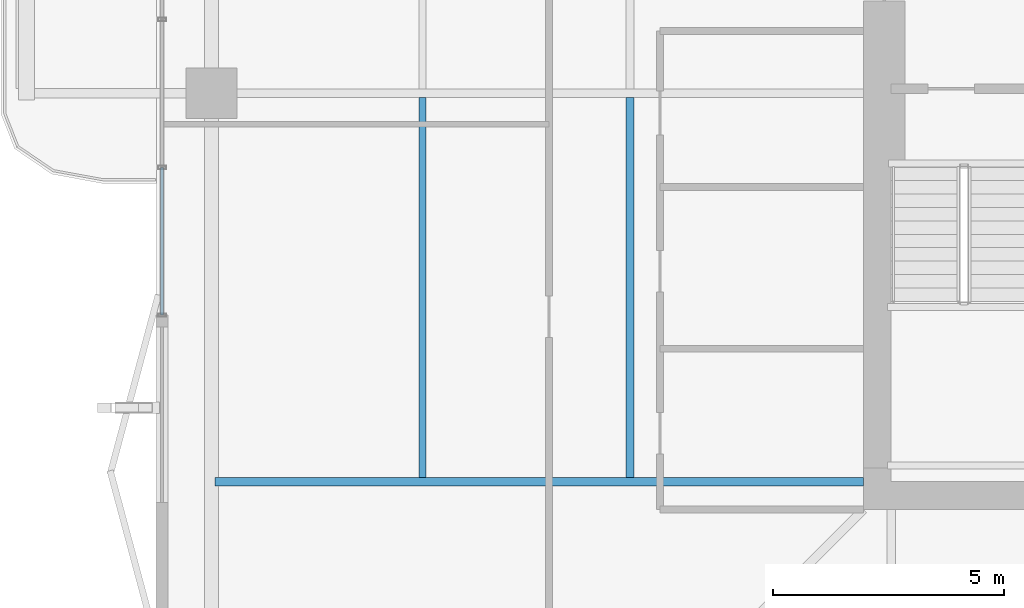
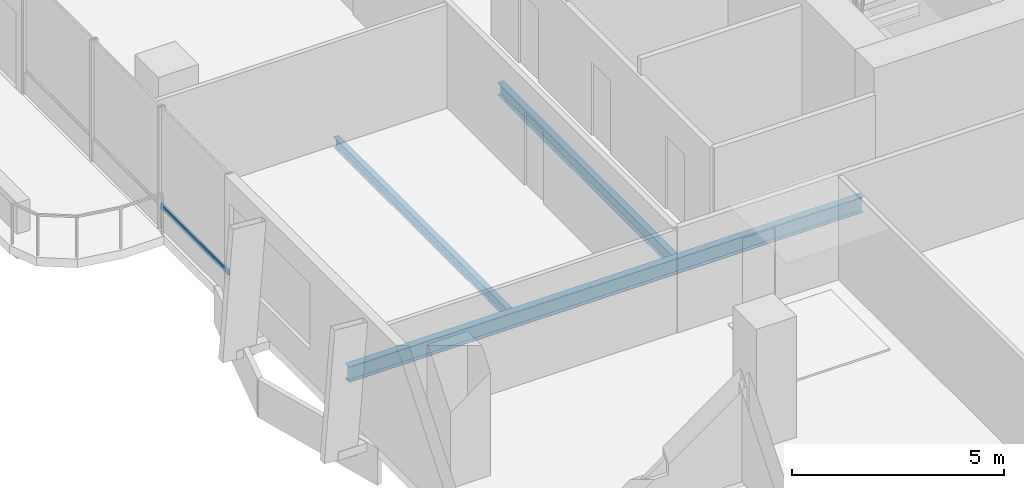
# One storey, part 5 of 25: 3 beams, 1 member, 1 element without a shape of its own.
"""IFC4 building model written with IfcOpenShell, lengths in metres."""

from ifc_helpers import new_model, si_unit, direction, frame, origin, origin_2d, place, context, subcontext, project, spatial, hollow_rectangle, i_section, extrude, material, layer, layer_set, material_profile, profile_set, type_object, element, aggregate, save


model = new_model("IFC4")

# Units and contexts
model_context = context("Model", 3, precision=1e-05, world=origin(), true_north=direction((0.0, 1.0)))
body_context = subcontext(model_context, "Body", "Model", "MODEL_VIEW")
ifc_project = project(units=[si_unit("LENGTHUNIT", "METRE"), si_unit("AREAUNIT", "SQUARE_METRE"), si_unit("VOLUMEUNIT", "CUBIC_METRE"), si_unit("PLANEANGLEUNIT", "RADIAN"), si_unit("MASSUNIT", "GRAM", prefix="KILO")], contexts=[model_context])

# Site, building, storey
site_placement = place(None, origin())
site = spatial("IfcSite", under=ifc_project, at=site_placement, CompositionType="ELEMENT")
building_placement = place(site_placement, origin())
building = spatial("IfcBuilding", under=site, at=building_placement, Name="Belovzor Exchange Tower", CompositionType="ELEMENT")
storey_placement = place(building_placement, frame((0.0, 0.0, 183.300048828125)))
storey = spatial("IfcBuildingStorey", under=building, at=storey_placement, Name="L45", CompositionType="ELEMENT", Elevation=183.300048828125)

# Beams
ifc_material_1 = material(Name="Steel S355", Category="steel")
ifc_material_profile_1 = material_profile(ifc_material_1, i_section(OverallWidth=0.169921875, OverallDepth=0.360107421875, WebThickness=0.008056640625, FlangeThickness=0.0126953125, at=origin_2d()))
ifc_profile_set_1 = profile_set([ifc_material_profile_1], Name="Steel S355")
beam_type_1 = type_object("IfcBeamType", Name="Secondary Infill Floor Joist IPE 360", PredefinedType="BEAM", material=ifc_profile_set_1)
beam_1_placement = place(storey_placement, frame((14.7509765625, 20.4951171875, -0.43505859375), z_axis=(0.0, 1.0, 0.0), x_axis=(-1.0, 0.0, 0.0)))
element("IfcBeam", 1, at=beam_1_placement, inside=storey, type_object=beam_type_1, Name="FJ-360 Secondary Infill Floor Joist IPE 360", PredefinedType="BEAM", context=body_context, shape_type="SweptSolid", body=[
    extrude(i_section(OverallWidth=0.169921875, OverallDepth=0.360107421875, WebThickness=0.008056640625, FlangeThickness=0.0126953125, at=origin_2d()), origin(), (0.0, 0.0, 1.0), 8.2099609375),
])
ifc_material_2 = material(Name="Steel S355", Category="steel")
ifc_material_profile_2 = material_profile(ifc_material_2, i_section(OverallWidth=0.14990234375, OverallDepth=0.300048828125, WebThickness=0.007080078125, FlangeThickness=0.0107421875, at=origin_2d()))
ifc_profile_set_2 = profile_set([ifc_material_profile_2], Name="Steel S355")
beam_type_2 = type_object("IfcBeamType", Name="Secondary Trim Floor Joist IPE 300", PredefinedType="BEAM", material=ifc_profile_set_2)
beam_2_placement = place(storey_placement, frame((10.262939453125, 20.4951171875, -0.405029296875), z_axis=(0.0, 1.0, 0.0), x_axis=(-1.0, 0.0, 0.0)))
element("IfcBeam", 2, at=beam_2_placement, inside=storey, type_object=beam_type_2, Name="FJ-300 Secondary Trim Floor Joist IPE 300", PredefinedType="BEAM", context=body_context, shape_type="SweptSolid", body=[
    extrude(i_section(OverallWidth=0.14990234375, OverallDepth=0.300048828125, WebThickness=0.007080078125, FlangeThickness=0.0107421875, at=origin_2d()), origin(), (0.0, 0.0, 1.0), 8.2099609375),
])

# Curtain wall, member
ifc_material_3 = material(Name="Anodised Aluminium Framing", Category="aluminium")
ifc_layer = layer(ifc_material_3, 0.179931640625)
ifc_layer_set = layer_set([ifc_layer], Name="Anodised Aluminium Framing")
curtain_wall_type = type_object("IfcCurtainWallType", Name="Recessed Loggia Low-Iron Triple-Glazed Curtain Wall", PredefinedType="NOTDEFINED", material=ifc_layer_set)
curtain_wall_placement = place(storey_placement, origin())
curtain_wall = element("IfcCurtainWall", 3, at=curtain_wall_placement, inside=storey, type_object=curtain_wall_type, Name="CW3 Recessed Loggia Low-Iron Triple-Glazed Curtain Wall L45", PredefinedType="NOTDEFINED")
ifc_material_4 = material(Name="Steel S355", Category="steel")
ifc_material_profile_3 = material_profile(ifc_material_4, hollow_rectangle(XDim=0.06005859375, YDim=0.14990234375, WallThickness=0.00390625, at=origin_2d()))
ifc_profile_set_3 = profile_set([ifc_material_profile_3], Name="Steel S355")
member_type = type_object("IfcMemberType", Name="Thermally Broken Curtain Wall Transom 150x60", PredefinedType="USERDEFINED", material=ifc_profile_set_3)
member_placement = place(storey_placement, frame((4.6298828125, 24.008056640625, 0.62890625), z_axis=(0.0, 1.0, 0.0), x_axis=(-1.0, 0.0, 0.0)))
member = element("IfcMember", 4, at=member_placement, type_object=member_type, Name="CW-T150 Curtain Wall Transom 1", ObjectType="TRANSOM", PredefinedType="USERDEFINED", context=body_context, shape_type="SweptSolid", body=[
    extrude(hollow_rectangle(XDim=0.06005859375, YDim=0.14990234375, WallThickness=0.00390625, at=origin_2d()), origin(), (0.0, 0.0, 1.0), 3.183837890625),
])
aggregate(curtain_wall, [member])

# Beam
ifc_material_5 = material(Name="Steel S355", Category="steel")
ifc_material_profile_4 = material_profile(ifc_material_5, i_section(OverallWidth=0.18994140625, OverallDepth=0.449951171875, WebThickness=0.009521484375, FlangeThickness=0.0146484375, at=origin_2d()))
ifc_profile_set_4 = profile_set([ifc_material_profile_4], Name="Steel S355")
beam_type_3 = type_object("IfcBeamType", Name="Zone 2-4 Radial Composite Floor Beam IPE 450", PredefinedType="BEAM", material=ifc_profile_set_4)
beam_3_placement = place(storey_placement, frame((19.800048828125, 20.39990234375, -0.47998046875), z_axis=(-1.0, 0.0, 0.0), x_axis=(0.0, -1.0, 0.0)))
element("IfcBeam", 5, at=beam_3_placement, inside=storey, type_object=beam_type_3, Name="FB-450 Zone 2-4 Radial Composite Floor Beam IPE 450", PredefinedType="BEAM", context=body_context, shape_type="SweptSolid", body=[
    extrude(i_section(OverallWidth=0.18994140625, OverallDepth=0.449951171875, WebThickness=0.009521484375, FlangeThickness=0.0146484375, at=origin_2d()), origin(), (0.0, 0.0, 1.0), 14.025146484375),
])

save(model, "model.ifc")
